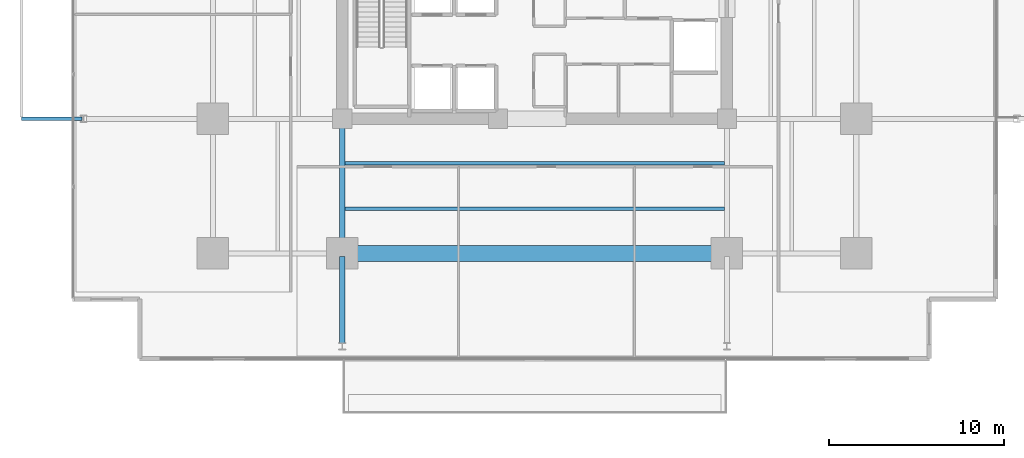
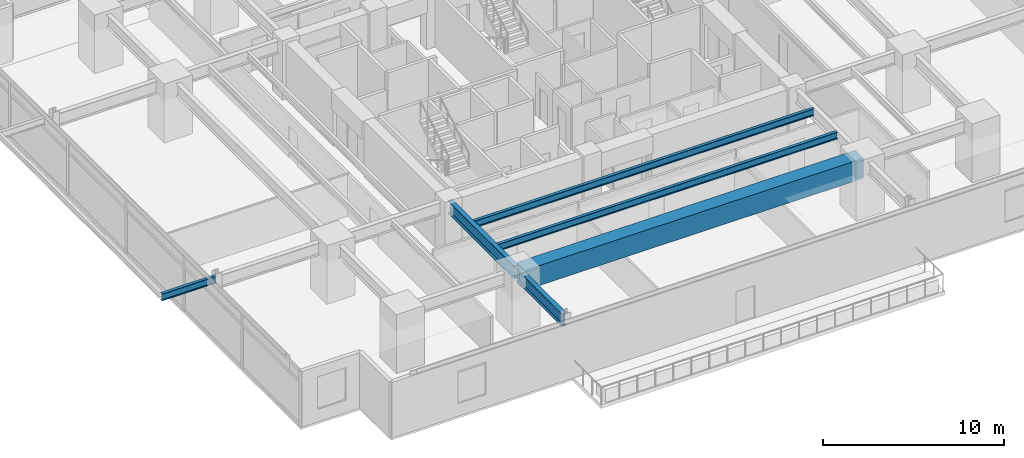
# One storey, part 3 of 24: 6 beams.
"""IFC4 building model written with IfcOpenShell, lengths in metres."""

from ifc_helpers import new_model, si_unit, direction, frame, origin, origin_2d, place, context, subcontext, project, spatial, rectangle, i_section, extrude, material, material_profile, profile_set, type_object, element, save


model = new_model("IFC4")

# Units and contexts
model_context = context("Model", 3, precision=1e-05, world=origin(), true_north=direction((0.0, 1.0)))
body_context = subcontext(model_context, "Body", "Model", "MODEL_VIEW")
ifc_project = project(units=[si_unit("LENGTHUNIT", "METRE"), si_unit("AREAUNIT", "SQUARE_METRE"), si_unit("VOLUMEUNIT", "CUBIC_METRE"), si_unit("PLANEANGLEUNIT", "RADIAN"), si_unit("MASSUNIT", "GRAM", prefix="KILO")], contexts=[model_context])

# Site, building, storey
site_placement = place(None, origin())
site = spatial("IfcSite", under=ifc_project, at=site_placement, CompositionType="ELEMENT")
building_placement = place(site_placement, origin())
building = spatial("IfcBuilding", under=site, at=building_placement, Name="Kovane Verandah Tower", CompositionType="ELEMENT")
storey_placement = place(building_placement, frame((0.0, 0.0, 95.60009765625)))
storey = spatial("IfcBuildingStorey", under=building, at=storey_placement, Name="L22", CompositionType="ELEMENT", Elevation=95.60009765625)

# Beams
ifc_material_1 = material(Name="Concrete C80/95", Category="concrete")
ifc_material_profile_1 = material_profile(ifc_material_1, rectangle(XDim=0.89990234375, YDim=1.35009765625, at=origin_2d()), Name="RCB900x1350")
ifc_profile_set_1 = profile_set([ifc_material_profile_1], Name="Concrete C80/95")
beam_type_1 = type_object("IfcBeamType", Name="BM-TR-900x1350", PredefinedType="BEAM", material=ifc_profile_set_1)
beam_1_placement = place(storey_placement, frame((29.179931640625, 10.800048828125, 3.0849609375), z_axis=(1.0, 0.0, 0.0), x_axis=(0.0, 1.0, 0.0)))
element("IfcBeam", 1, at=beam_1_placement, inside=storey, type_object=beam_type_1, Name="L22 Primary Tower Girder G-RS2", PredefinedType="BEAM", context=body_context, shape_type="SweptSolid", body=[
    extrude(rectangle(XDim=0.89990234375, YDim=1.35009765625, at=origin_2d()), origin(), (0.0, 0.0, 1.0), 21.64013671875),
])
ifc_material_2 = material(Name="Steel S355", Category="steel")
ifc_material_profile_2 = material_profile(ifc_material_2, i_section(OverallWidth=0.293701171875, OverallDepth=0.850830078125, WebThickness=0.01611328125, FlangeThickness=0.02685546875, FilletRadius=0.017822265625, at=origin_2d()), Name="UB838x292x226")
ifc_profile_set_2 = profile_set([ifc_material_profile_2], Name="Steel S355")
beam_type_2 = type_object("IfcBeamType", Name="BM-UB838x226", PredefinedType="BEAM", material=ifc_profile_set_2)
beam_2_placement = place(storey_placement, frame((29.0, 18.320068359375, 3.33447265625), z_axis=(0.0, -1.0, 0.0), x_axis=(1.0, 0.0, 0.0)))
element("IfcBeam", 2, at=beam_2_placement, inside=storey, type_object=beam_type_2, Name="L22 Primary Tower Girder G-S1", PredefinedType="BEAM", context=body_context, shape_type="SweptSolid", body=[
    extrude(i_section(OverallWidth=0.293701171875, OverallDepth=0.850830078125, WebThickness=0.01611328125, FlangeThickness=0.02685546875, FilletRadius=0.017822265625, at=origin_2d()), origin(), (0.0, 0.0, 1.0), 7.340087890625),
])
beam_3_placement = place(storey_placement, frame((29.0, 10.6201171875, 3.33447265625), z_axis=(0.0, -1.0, 0.0), x_axis=(1.0, 0.0, 0.0)))
element("IfcBeam", 3, at=beam_3_placement, inside=storey, type_object=beam_type_2, Name="L22 Primary Tower Girder G-VS1", PredefinedType="BEAM", context=body_context, shape_type="SweptSolid", body=[
    extrude(i_section(OverallWidth=0.293701171875, OverallDepth=0.850830078125, WebThickness=0.01611328125, FlangeThickness=0.02685546875, FilletRadius=0.017822265625, at=origin_2d()), origin(), (0.0, 0.0, 1.0), 4.940185546875),
])
ifc_material_profile_3 = material_profile(ifc_material_2, i_section(OverallWidth=0.19287109375, OverallDepth=0.46728515625, WebThickness=0.011474609375, FlangeThickness=0.01953125, FilletRadius=0.01025390625, at=origin_2d()), Name="UB457x191x98")
ifc_profile_set_3 = profile_set([ifc_material_profile_3], Name="Steel S355")
beam_type_3 = type_object("IfcBeamType", Name="JST-UB457x98", PredefinedType="JOIST", material=ifc_profile_set_3)
for number, where, z_axis, x_axis, name in (
    (4, (29.14501953125, 13.35009765625, 3.5263671875), (1.0, 0.0, 0.0), (0.0, 1.0, 0.0), "L22 Secondary Composite Joist J-S1"),
    (5, (29.14501953125, 15.949951171875, 3.5263671875), (1.0, 0.0, 0.0), (0.0, 1.0, 0.0), "L22 Secondary Composite Joist J-S2"),
):
    element("IfcBeam", number, at=place(storey_placement, frame(where, z_axis=z_axis, x_axis=x_axis)), inside=storey, type_object=beam_type_3, Name=name, PredefinedType="JOIST", context=body_context, shape_type="SweptSolid", body=[
        extrude(i_section(OverallWidth=0.19287109375, OverallDepth=0.46728515625, WebThickness=0.011474609375, FlangeThickness=0.01953125, FilletRadius=0.01025390625, at=origin_2d()), origin(), (0.0, 0.0, 1.0), 21.7099609375),
    ])
beam_4_placement = place(storey_placement, frame((14.1201171875, 18.5, 3.5263671875), z_axis=(-1.0, 0.0, 0.0), x_axis=(0.0, -1.0, 0.0)))
element("IfcBeam", 6, at=beam_4_placement, inside=storey, type_object=beam_type_3, Name="L22 West Planter Girder 1", PredefinedType="JOIST", context=body_context, shape_type="SweptSolid", body=[
    extrude(i_section(OverallWidth=0.19287109375, OverallDepth=0.46728515625, WebThickness=0.011474609375, FlangeThickness=0.01953125, FilletRadius=0.01025390625, at=origin_2d()), origin(), (0.0, 0.0, 1.0), 3.46875),
])

save(model, "model.ifc")
